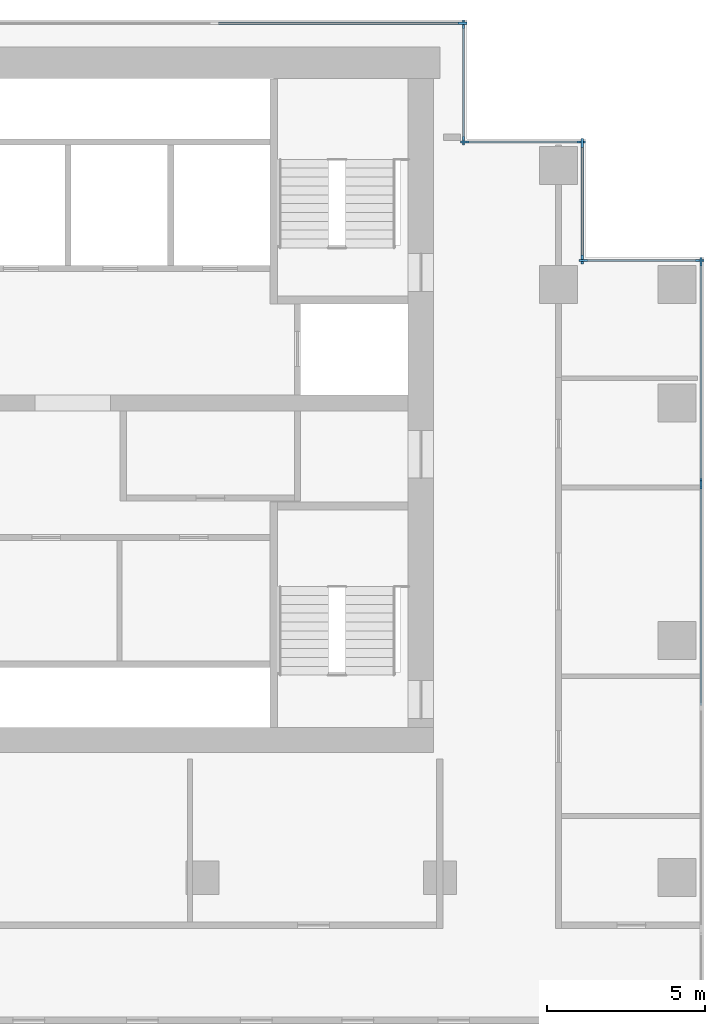
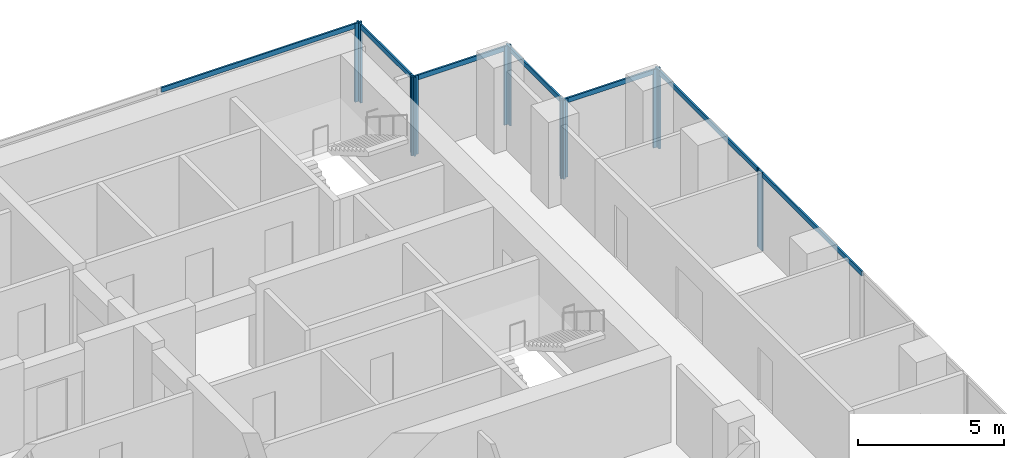
# One storey, part 5 of 10: 19 members, 7 elements without a shape of their own.
"""IFC4 building model written with IfcOpenShell, lengths in metres."""

from ifc_helpers import new_model, si_unit, direction, frame, origin, origin_2d, place, context, subcontext, project, spatial, rectangle, extrude, material, material_profile, profile_set, type_object, element, aggregate, save


model = new_model("IFC4")

# Units and contexts
model_context = context("Model", 3, precision=1e-05, world=origin(), true_north=direction((0.0, 1.0)))
body_context = subcontext(model_context, "Body", "Model", "MODEL_VIEW")
ifc_project = project(units=[si_unit("LENGTHUNIT", "METRE"), si_unit("AREAUNIT", "SQUARE_METRE"), si_unit("VOLUMEUNIT", "CUBIC_METRE"), si_unit("PLANEANGLEUNIT", "RADIAN"), si_unit("MASSUNIT", "GRAM", prefix="KILO")], contexts=[model_context])

# Site, building, storey
site_placement = place(None, origin())
site = spatial("IfcSite", under=ifc_project, at=site_placement, CompositionType="ELEMENT")
building_placement = place(site_placement, origin())
building = spatial("IfcBuilding", under=site, at=building_placement, Name="Pilkhan Gate Tower", CompositionType="ELEMENT")
storey_placement = place(building_placement, frame((0.0, 0.0, 169.300048828125)))
storey = spatial("IfcBuildingStorey", under=building, at=storey_placement, Name="L43", CompositionType="ELEMENT", Elevation=169.300048828125)

# Curtain wall, member
ifc_material_1 = material(Name="Pale anodised aluminium, clear low-iron double glazing", Category="aluminium")
curtain_wall_type = type_object("IfcCurtainWallType", Name="Office unitised curtain wall CW-O1", PredefinedType="USERDEFINED", material=ifc_material_1)
curtain_wall_1_placement = place(storey_placement, origin())
curtain_wall_1 = element("IfcCurtainWall", 1, at=curtain_wall_1_placement, inside=storey, type_object=curtain_wall_type, Name="Office unitised curtain wall CW-O1 L43 E", ObjectType="UNITISED CURTAIN WALL", PredefinedType="USERDEFINED")
ifc_material_2 = material(Name="Pale anodised aluminium", Category="aluminium")
ifc_material_profile_1 = material_profile(ifc_material_2, rectangle(XDim=0.070068359375, YDim=0.27490234375, at=origin_2d()), Name="Mullion 275x70")
ifc_profile_set_1 = profile_set([ifc_material_profile_1], Name="Pale anodised aluminium")
member_type_1 = type_object("IfcMemberType", Name="Mullion CW-O1 275x70", PredefinedType="MULLION", material=ifc_profile_set_1)
member_1_placement = place(storey_placement, frame((98.25, 79.9150390625, 0.0), z_axis=(0.0, 0.0, 1.0), x_axis=(-1.0, 0.0, 0.0)))
member_1 = element("IfcMember", 2, at=member_1_placement, type_object=member_type_1, Name="CW-O1 mullion 3", PredefinedType="MULLION", context=body_context, shape_type="SweptSolid", body=[
    extrude(rectangle(XDim=0.070068359375, YDim=0.27490234375, at=origin_2d()), origin(), (0.0, 0.0, 1.0), 3.300048828125),
])

# Curtain wall, members
curtain_wall_2_placement = place(storey_placement, origin())
curtain_wall_2 = element("IfcCurtainWall", 3, at=curtain_wall_2_placement, inside=storey, type_object=curtain_wall_type, Name="Office unitised curtain wall CW-O1 L43 E", ObjectType="UNITISED CURTAIN WALL", PredefinedType="USERDEFINED")
member_2_placement = place(storey_placement, frame((98.25, 79.985107421875, 0.0), z_axis=(0.0, 0.0, 1.0), x_axis=(-1.0, 0.0, 0.0)))
member_2 = element("IfcMember", 4, at=member_2_placement, type_object=member_type_1, Name="CW-O1 mullion 1", PredefinedType="MULLION", context=body_context, shape_type="SweptSolid", body=[
    extrude(rectangle(XDim=0.070068359375, YDim=0.27490234375, at=origin_2d()), origin(), (0.0, 0.0, 1.0), 3.300048828125),
])
member_3_placement = place(storey_placement, frame((98.25, 86.965087890625, 0.0), z_axis=(0.0, 0.0, 1.0), x_axis=(-1.0, 0.0, 0.0)))
member_3 = element("IfcMember", 5, at=member_3_placement, type_object=member_type_1, Name="CW-O1 mullion 2", PredefinedType="MULLION", context=body_context, shape_type="SweptSolid", body=[
    extrude(rectangle(XDim=0.070068359375, YDim=0.27490234375, at=origin_2d()), origin(), (0.0, 0.0, 1.0), 3.300048828125),
])

curtain_wall_3_placement = place(storey_placement, origin())
curtain_wall_3 = element("IfcCurtainWall", 6, at=curtain_wall_3_placement, inside=storey, type_object=curtain_wall_type, Name="Office unitised curtain wall CW-O1 L43 N", ObjectType="UNITISED CURTAIN WALL", PredefinedType="USERDEFINED")
member_4_placement = place(storey_placement, frame((94.534912109375, 87.0, 0.0), z_axis=(0.0, 0.0, 1.0), x_axis=(0.0, 1.0, 0.0)))
member_4 = element("IfcMember", 7, at=member_4_placement, type_object=member_type_1, Name="CW-O1 mullion 1", PredefinedType="MULLION", context=body_context, shape_type="SweptSolid", body=[
    extrude(rectangle(XDim=0.070068359375, YDim=0.27490234375, at=origin_2d()), origin(), (0.0, 0.0, 1.0), 3.300048828125),
])
member_5_placement = place(storey_placement, frame((98.215087890625, 87.0, 0.0), z_axis=(0.0, 0.0, 1.0), x_axis=(0.0, 1.0, 0.0)))
member_5 = element("IfcMember", 8, at=member_5_placement, type_object=member_type_1, Name="CW-O1 mullion 2", PredefinedType="MULLION", context=body_context, shape_type="SweptSolid", body=[
    extrude(rectangle(XDim=0.070068359375, YDim=0.27490234375, at=origin_2d()), origin(), (0.0, 0.0, 1.0), 3.300048828125),
])

curtain_wall_4_placement = place(storey_placement, origin())
curtain_wall_4 = element("IfcCurtainWall", 9, at=curtain_wall_4_placement, inside=storey, type_object=curtain_wall_type, Name="Office unitised curtain wall CW-O1 L43 E", ObjectType="UNITISED CURTAIN WALL", PredefinedType="USERDEFINED")
member_6_placement = place(storey_placement, frame((94.5, 87.034912109375, 0.0), z_axis=(0.0, 0.0, 1.0), x_axis=(-1.0, 0.0, 0.0)))
member_6 = element("IfcMember", 10, at=member_6_placement, type_object=member_type_1, Name="CW-O1 mullion 1", PredefinedType="MULLION", context=body_context, shape_type="SweptSolid", body=[
    extrude(rectangle(XDim=0.070068359375, YDim=0.27490234375, at=origin_2d()), origin(), (0.0, 0.0, 1.0), 3.300048828125),
])
member_7_placement = place(storey_placement, frame((94.5, 90.715087890625, 0.0), z_axis=(0.0, 0.0, 1.0), x_axis=(-1.0, 0.0, 0.0)))
member_7 = element("IfcMember", 11, at=member_7_placement, type_object=member_type_1, Name="CW-O1 mullion 2", PredefinedType="MULLION", context=body_context, shape_type="SweptSolid", body=[
    extrude(rectangle(XDim=0.070068359375, YDim=0.27490234375, at=origin_2d()), origin(), (0.0, 0.0, 1.0), 3.300048828125),
])

curtain_wall_5_placement = place(storey_placement, origin())
curtain_wall_5 = element("IfcCurtainWall", 12, at=curtain_wall_5_placement, inside=storey, type_object=curtain_wall_type, Name="Office unitised curtain wall CW-O1 L43 N", ObjectType="UNITISED CURTAIN WALL", PredefinedType="USERDEFINED")
member_8_placement = place(storey_placement, frame((90.784912109375, 90.75, 0.0), z_axis=(0.0, 0.0, 1.0), x_axis=(0.0, 1.0, 0.0)))
member_8 = element("IfcMember", 13, at=member_8_placement, type_object=member_type_1, Name="CW-O1 mullion 1", PredefinedType="MULLION", context=body_context, shape_type="SweptSolid", body=[
    extrude(rectangle(XDim=0.070068359375, YDim=0.27490234375, at=origin_2d()), origin(), (0.0, 0.0, 1.0), 3.300048828125),
])
member_9_placement = place(storey_placement, frame((94.465087890625, 90.75, 0.0), z_axis=(0.0, 0.0, 1.0), x_axis=(0.0, 1.0, 0.0)))
member_9 = element("IfcMember", 14, at=member_9_placement, type_object=member_type_1, Name="CW-O1 mullion 2", PredefinedType="MULLION", context=body_context, shape_type="SweptSolid", body=[
    extrude(rectangle(XDim=0.070068359375, YDim=0.27490234375, at=origin_2d()), origin(), (0.0, 0.0, 1.0), 3.300048828125),
])

curtain_wall_6_placement = place(storey_placement, origin())
curtain_wall_6 = element("IfcCurtainWall", 15, at=curtain_wall_6_placement, inside=storey, type_object=curtain_wall_type, Name="Office unitised curtain wall CW-O1 L43 E", ObjectType="UNITISED CURTAIN WALL", PredefinedType="USERDEFINED")
member_10_placement = place(storey_placement, frame((90.75, 90.784912109375, 0.0), z_axis=(0.0, 0.0, 1.0), x_axis=(-1.0, 0.0, 0.0)))
member_10 = element("IfcMember", 16, at=member_10_placement, type_object=member_type_1, Name="CW-O1 mullion 1", PredefinedType="MULLION", context=body_context, shape_type="SweptSolid", body=[
    extrude(rectangle(XDim=0.070068359375, YDim=0.27490234375, at=origin_2d()), origin(), (0.0, 0.0, 1.0), 3.300048828125),
])
member_11_placement = place(storey_placement, frame((90.75, 94.465087890625, 0.0), z_axis=(0.0, 0.0, 1.0), x_axis=(-1.0, 0.0, 0.0)))
member_11 = element("IfcMember", 17, at=member_11_placement, type_object=member_type_1, Name="CW-O1 mullion 2", PredefinedType="MULLION", context=body_context, shape_type="SweptSolid", body=[
    extrude(rectangle(XDim=0.070068359375, YDim=0.27490234375, at=origin_2d()), origin(), (0.0, 0.0, 1.0), 3.300048828125),
])

# Curtain wall, member
curtain_wall_7_placement = place(storey_placement, origin())
curtain_wall_7 = element("IfcCurtainWall", 18, at=curtain_wall_7_placement, inside=storey, type_object=curtain_wall_type, Name="Office unitised curtain wall CW-O1 L43 N", ObjectType="UNITISED CURTAIN WALL", PredefinedType="USERDEFINED")
member_12_placement = place(storey_placement, frame((90.715087890625, 94.5, 0.0), z_axis=(0.0, 0.0, 1.0), x_axis=(0.0, 1.0, 0.0)))
member_12 = element("IfcMember", 19, at=member_12_placement, type_object=member_type_1, Name="CW-O1 mullion 3", PredefinedType="MULLION", context=body_context, shape_type="SweptSolid", body=[
    extrude(rectangle(XDim=0.070068359375, YDim=0.27490234375, at=origin_2d()), origin(), (0.0, 0.0, 1.0), 3.300048828125),
])

# Member
ifc_material_profile_2 = material_profile(ifc_material_2, rectangle(XDim=0.070068359375, YDim=0.199951171875, at=origin_2d()), Name="Transom 200x70")
ifc_profile_set_2 = profile_set([ifc_material_profile_2], Name="Pale anodised aluminium")
member_type_2 = type_object("IfcMemberType", Name="Transom CW-O1 200x70", PredefinedType="USERDEFINED", material=ifc_profile_set_2)
member_13_placement = place(storey_placement, frame((98.25, 72.93505859375, 3.199951171875), z_axis=(0.0, 1.0, 0.0), x_axis=(-1.0, 0.0, 0.0)))
member_13 = element("IfcMember", 20, at=member_13_placement, type_object=member_type_2, Name="CW-O1 transom 2", ObjectType="TRANSOM", PredefinedType="USERDEFINED", context=body_context, shape_type="SweptSolid", body=[
    extrude(rectangle(XDim=0.070068359375, YDim=0.199951171875, at=origin_2d()), origin(), (0.0, 0.0, 1.0), 6.94482421875),
])

aggregate(curtain_wall_1, [member_1, member_13])

member_14_placement = place(storey_placement, frame((98.25, 80.02001953125, 3.199951171875), z_axis=(0.0, 1.0, 0.0), x_axis=(-1.0, 0.0, 0.0)))
member_14 = element("IfcMember", 21, at=member_14_placement, type_object=member_type_2, Name="CW-O1 transom 1", ObjectType="TRANSOM", PredefinedType="USERDEFINED", context=body_context, shape_type="SweptSolid", body=[
    extrude(rectangle(XDim=0.070068359375, YDim=0.199951171875, at=origin_2d()), origin(), (0.0, 0.0, 1.0), 6.909912109375),
])

aggregate(curtain_wall_2, [member_2, member_3, member_14])

member_15_placement = place(storey_placement, frame((94.570068359375, 87.0, 3.199951171875), z_axis=(1.0, 0.0, 0.0), x_axis=(0.0, 1.0, 0.0)))
member_15 = element("IfcMember", 22, at=member_15_placement, type_object=member_type_2, Name="CW-O1 transom 1", ObjectType="TRANSOM", PredefinedType="USERDEFINED", context=body_context, shape_type="SweptSolid", body=[
    extrude(rectangle(XDim=0.070068359375, YDim=0.199951171875, at=origin_2d()), origin(), (0.0, 0.0, 1.0), 3.60986328125),
])

aggregate(curtain_wall_3, [member_4, member_5, member_15])

member_16_placement = place(storey_placement, frame((94.5, 87.070068359375, 3.199951171875), z_axis=(0.0, 1.0, 0.0), x_axis=(-1.0, 0.0, 0.0)))
member_16 = element("IfcMember", 23, at=member_16_placement, type_object=member_type_2, Name="CW-O1 transom 1", ObjectType="TRANSOM", PredefinedType="USERDEFINED", context=body_context, shape_type="SweptSolid", body=[
    extrude(rectangle(XDim=0.070068359375, YDim=0.199951171875, at=origin_2d()), origin(), (0.0, 0.0, 1.0), 3.60986328125),
])

aggregate(curtain_wall_4, [member_6, member_7, member_16])

member_17_placement = place(storey_placement, frame((90.820068359375, 90.75, 3.199951171875), z_axis=(1.0, 0.0, 0.0), x_axis=(0.0, 1.0, 0.0)))
member_17 = element("IfcMember", 24, at=member_17_placement, type_object=member_type_2, Name="CW-O1 transom 1", ObjectType="TRANSOM", PredefinedType="USERDEFINED", context=body_context, shape_type="SweptSolid", body=[
    extrude(rectangle(XDim=0.070068359375, YDim=0.199951171875, at=origin_2d()), origin(), (0.0, 0.0, 1.0), 3.60986328125),
])

aggregate(curtain_wall_5, [member_8, member_9, member_17])

member_18_placement = place(storey_placement, frame((90.75, 90.820068359375, 3.199951171875), z_axis=(0.0, 1.0, 0.0), x_axis=(-1.0, 0.0, 0.0)))
member_18 = element("IfcMember", 25, at=member_18_placement, type_object=member_type_2, Name="CW-O1 transom 1", ObjectType="TRANSOM", PredefinedType="USERDEFINED", context=body_context, shape_type="SweptSolid", body=[
    extrude(rectangle(XDim=0.070068359375, YDim=0.199951171875, at=origin_2d()), origin(), (0.0, 0.0, 1.0), 3.60986328125),
])

aggregate(curtain_wall_6, [member_10, member_11, member_18])

member_19_placement = place(storey_placement, frame((82.909912109375, 94.5, 3.199951171875), z_axis=(1.0, 0.0, 0.0), x_axis=(0.0, 1.0, 0.0)))
member_19 = element("IfcMember", 26, at=member_19_placement, type_object=member_type_2, Name="CW-O1 transom 2", ObjectType="TRANSOM", PredefinedType="USERDEFINED", context=body_context, shape_type="SweptSolid", body=[
    extrude(rectangle(XDim=0.070068359375, YDim=0.199951171875, at=origin_2d()), origin(), (0.0, 0.0, 1.0), 7.77001953125),
])

aggregate(curtain_wall_7, [member_12, member_19])

save(model, "model.ifc")
